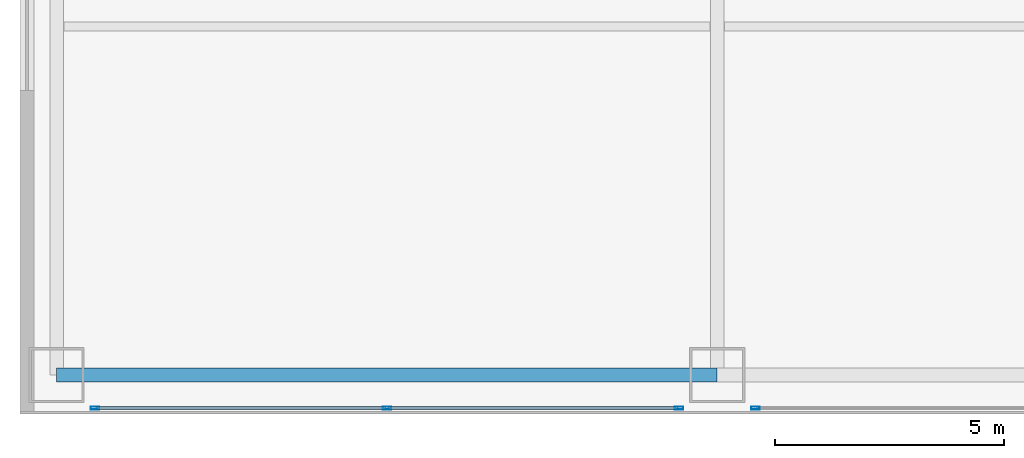
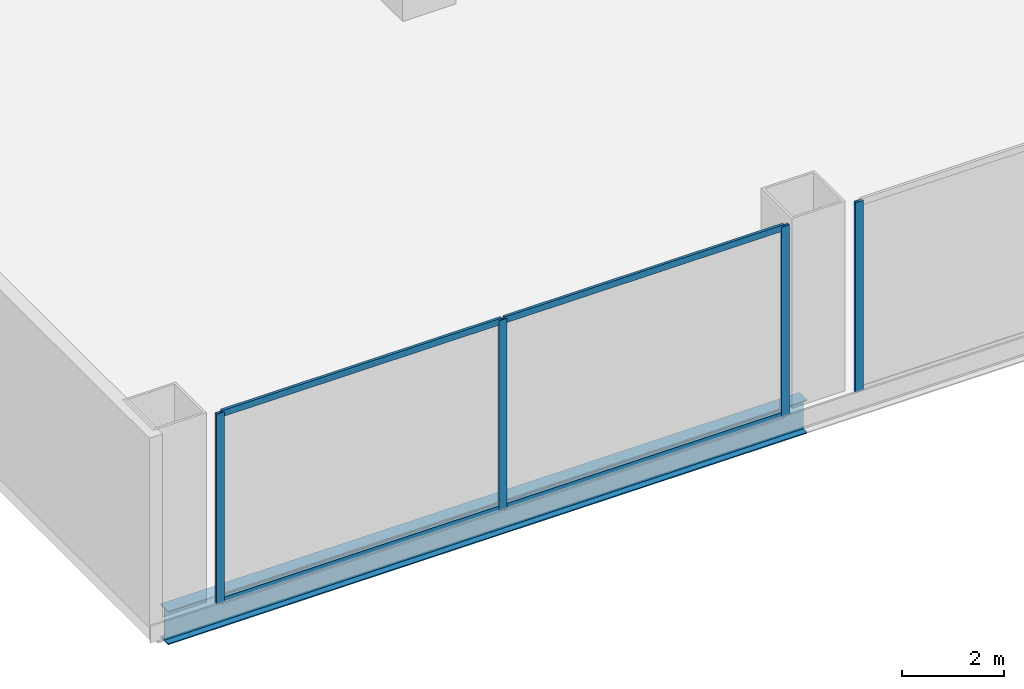
# One storey, part 3 of 27: 8 members, 1 beam, 2 elements without a shape of their own.
"""IFC4 building model written with IfcOpenShell, lengths in metres."""

from ifc_helpers import new_model, si_unit, direction, frame, origin, origin_2d, place, context, subcontext, project, spatial, hollow_rectangle, i_section, extrude, source, transform, mapped, material, layer, layer_set, material_profile, profile_set, type_object, element, aggregate, save


model = new_model("IFC4")

# Units and contexts
model_context = context("Model", 3, precision=1e-05, world=origin(), true_north=direction((0.0, 1.0)))
body_context = subcontext(model_context, "Body", "Model", "MODEL_VIEW")
ifc_project = project(units=[si_unit("LENGTHUNIT", "METRE"), si_unit("AREAUNIT", "SQUARE_METRE"), si_unit("VOLUMEUNIT", "CUBIC_METRE"), si_unit("PLANEANGLEUNIT", "RADIAN"), si_unit("MASSUNIT", "GRAM", prefix="KILO"), si_unit("THERMODYNAMICTEMPERATUREUNIT", "KELVIN"), si_unit("POWERUNIT", "WATT")], contexts=[model_context])

# Site, building, storey
site_placement = place(None, origin())
site = spatial("IfcSite", under=ifc_project, at=site_placement, CompositionType="ELEMENT")
building_placement = place(site_placement, origin())
building = spatial("IfcBuilding", under=site, at=building_placement, Name="Yunzhuo Pagoda Commons", CompositionType="ELEMENT")
storey_placement = place(building_placement, frame((0.0, 0.0, 9.60009765625)))
storey = spatial("IfcBuildingStorey", under=building, at=storey_placement, Name="L03", CompositionType="ELEMENT", Elevation=9.60009765625)

# Beam
ifc_material_1 = material(Name="Structural steel Q355B", Category="steel")
ifc_material_profile_1 = material_profile(ifc_material_1, i_section(OverallWidth=0.300048828125, OverallDepth=0.800048828125, WebThickness=0.013916015625, FlangeThickness=0.02587890625, at=origin_2d()), Name="Structural steel Q355B")
ifc_profile_set_1 = profile_set([ifc_material_profile_1], Name="Structural steel Q355B")
beam_type = type_object("IfcBeamType", Name="B-PD2 Beam HN 800x300x14x26", PredefinedType="BEAM", material=ifc_profile_set_1)
shared_shape_1 = source(origin(), body_context, "Body", "SweptSolid", [
    extrude(i_section(OverallWidth=0.300048828125, OverallDepth=0.800048828125, WebThickness=0.013916015625, FlangeThickness=0.02587890625, at=origin_2d()), origin(), (0.0, 0.0, 1.0), 14.39990234375),
])
beam_placement = place(storey_placement, frame((4.800048828125, 6.800048828125, -0.68017578125), z_axis=(1.0, 0.0, 0.0), x_axis=(0.0, 1.0, 0.0)))
element("IfcBeam", 1, at=beam_placement, inside=storey, type_object=beam_type, Name="L03 podium girder EW 1.1", PredefinedType="BEAM", context=body_context, shape_type="MappedRepresentation", body=[
    mapped(shared_shape_1, transform((0.0, 0.0, 0.0), scale=1.0)),
])

# Curtain wall, members
ifc_material_2 = material(Name="Anodized aluminium 6063-T6", Category="aluminium")
ifc_layer = layer(ifc_material_2, 0.179931640625)
ifc_layer_set = layer_set([ifc_layer], Name="Anodized aluminium 6063-T6")
curtain_wall_type = type_object("IfcCurtainWallType", Name="CW-POD Waterfront Podium Curtain Wall", PredefinedType="NOTDEFINED", material=ifc_layer_set)
curtain_wall_1_placement = place(storey_placement, origin())
curtain_wall_1 = element("IfcCurtainWall", 2, at=curtain_wall_1_placement, inside=storey, type_object=curtain_wall_type, Name="L03 curtain wall CW-L03-S1", PredefinedType="NOTDEFINED")
ifc_material_profile_2 = material_profile(ifc_material_2, hollow_rectangle(XDim=0.06494140625, YDim=0.179931640625, WallThickness=0.00390625, at=origin_2d()), Name="Anodized aluminium 6063-T6")
ifc_profile_set_2 = profile_set([ifc_material_profile_2], Name="Anodized aluminium 6063-T6")
member_type_1 = type_object("IfcMemberType", Name="CW-POD-M Mullion RHS 180x65x4", PredefinedType="MULLION", material=ifc_profile_set_2)
shared_shape_2 = source(origin(), body_context, "Body", "SweptSolid", [
    extrude(hollow_rectangle(XDim=0.06494140625, YDim=0.179931640625, WallThickness=0.00390625, at=origin_2d()), origin(), (0.0, 0.0, 1.0), 4.52001953125),
])
member_1_placement = place(storey_placement, frame((5.632568359375, 6.080078125, 0.0), z_axis=(0.0, 0.0, 1.0), x_axis=(0.0, 1.0, 0.0)))
member_1 = element("IfcMember", 3, at=member_1_placement, type_object=member_type_1, Name="CW mullion 1", PredefinedType="MULLION", context=body_context, shape_type="MappedRepresentation", body=[
    mapped(shared_shape_2, transform((0.0, 0.0, 0.0), scale=1.0)),
])
member_2_placement = place(storey_placement, frame((12.0, 6.080078125, 0.0), z_axis=(0.0, 0.0, 1.0), x_axis=(0.0, 1.0, 0.0)))
member_2 = element("IfcMember", 4, at=member_2_placement, type_object=member_type_1, Name="CW mullion 2", PredefinedType="MULLION", context=body_context, shape_type="MappedRepresentation", body=[
    mapped(shared_shape_2, transform((0.0, 0.0, 0.0), scale=1.0)),
])
member_3_placement = place(storey_placement, frame((18.367431640625, 6.080078125, 0.0), z_axis=(0.0, 0.0, 1.0), x_axis=(0.0, 1.0, 0.0)))
member_3 = element("IfcMember", 5, at=member_3_placement, type_object=member_type_1, Name="CW mullion 3", PredefinedType="MULLION", context=body_context, shape_type="MappedRepresentation", body=[
    mapped(shared_shape_2, transform((0.0, 0.0, 0.0), scale=1.0)),
])

# Curtain wall, member
curtain_wall_2_placement = place(storey_placement, origin())
curtain_wall_2 = element("IfcCurtainWall", 6, at=curtain_wall_2_placement, inside=storey, type_object=curtain_wall_type, Name="L03 curtain wall CW-L03-S2", PredefinedType="NOTDEFINED")
member_4_placement = place(storey_placement, frame((20.032470703125, 6.080078125, 0.0), z_axis=(0.0, 0.0, 1.0), x_axis=(0.0, 1.0, 0.0)))
member_4 = element("IfcMember", 7, at=member_4_placement, type_object=member_type_1, Name="CW mullion 1", PredefinedType="MULLION", context=body_context, shape_type="MappedRepresentation", body=[
    mapped(shared_shape_2, transform((0.0, 0.0, 0.0), scale=1.0)),
])
aggregate(curtain_wall_2, [member_4])

# Member
ifc_material_profile_3 = material_profile(ifc_material_2, hollow_rectangle(XDim=0.06005859375, YDim=0.14990234375, WallThickness=0.00390625, at=origin_2d()), Name="Anodized aluminium 6063-T6")
ifc_profile_set_3 = profile_set([ifc_material_profile_3], Name="Anodized aluminium 6063-T6")
member_type_2 = type_object("IfcMemberType", Name="CW-POD-T Transom RHS 150x60x4", PredefinedType="USERDEFINED", material=ifc_profile_set_3)
shared_shape_3 = source(origin(), body_context, "Body", "SweptSolid", [
    extrude(hollow_rectangle(XDim=0.06005859375, YDim=0.14990234375, WallThickness=0.00390625, at=origin_2d()), origin(), (0.0, 0.0, 1.0), 6.302490234375),
])
member_5_placement = place(storey_placement, frame((5.6650390625, 6.080078125, 0.02978515625), z_axis=(1.0, 0.0, 0.0), x_axis=(0.0, 1.0, 0.0)))
member_5 = element("IfcMember", 8, at=member_5_placement, type_object=member_type_2, Name="CW transom 1.1", ObjectType="TRANSOM", PredefinedType="USERDEFINED", context=body_context, shape_type="MappedRepresentation", body=[
    mapped(shared_shape_3, transform((0.0, 0.0, 0.0), scale=1.0)),
])

member_6_placement = place(storey_placement, frame((5.6650390625, 6.080078125, 4.489990234375), z_axis=(1.0, 0.0, 0.0), x_axis=(0.0, 1.0, 0.0)))
member_6 = element("IfcMember", 9, at=member_6_placement, type_object=member_type_2, Name="CW transom 1.2", ObjectType="TRANSOM", PredefinedType="USERDEFINED", context=body_context, shape_type="MappedRepresentation", body=[
    mapped(shared_shape_3, transform((0.0, 0.0, 0.0), scale=1.0)),
])

member_7_placement = place(storey_placement, frame((12.032470703125, 6.080078125, 0.02978515625), z_axis=(1.0, 0.0, 0.0), x_axis=(0.0, 1.0, 0.0)))
member_7 = element("IfcMember", 10, at=member_7_placement, type_object=member_type_2, Name="CW transom 2.1", ObjectType="TRANSOM", PredefinedType="USERDEFINED", context=body_context, shape_type="MappedRepresentation", body=[
    mapped(shared_shape_3, transform((0.0, 0.0, 0.0), scale=1.0)),
])

member_8_placement = place(storey_placement, frame((12.032470703125, 6.080078125, 4.489990234375), z_axis=(1.0, 0.0, 0.0), x_axis=(0.0, 1.0, 0.0)))
member_8 = element("IfcMember", 11, at=member_8_placement, type_object=member_type_2, Name="CW transom 2.2", ObjectType="TRANSOM", PredefinedType="USERDEFINED", context=body_context, shape_type="MappedRepresentation", body=[
    mapped(shared_shape_3, transform((0.0, 0.0, 0.0), scale=1.0)),
])

aggregate(curtain_wall_1, [member_1, member_2, member_3, member_5, member_6, member_7, member_8])

save(model, "model.ifc")
